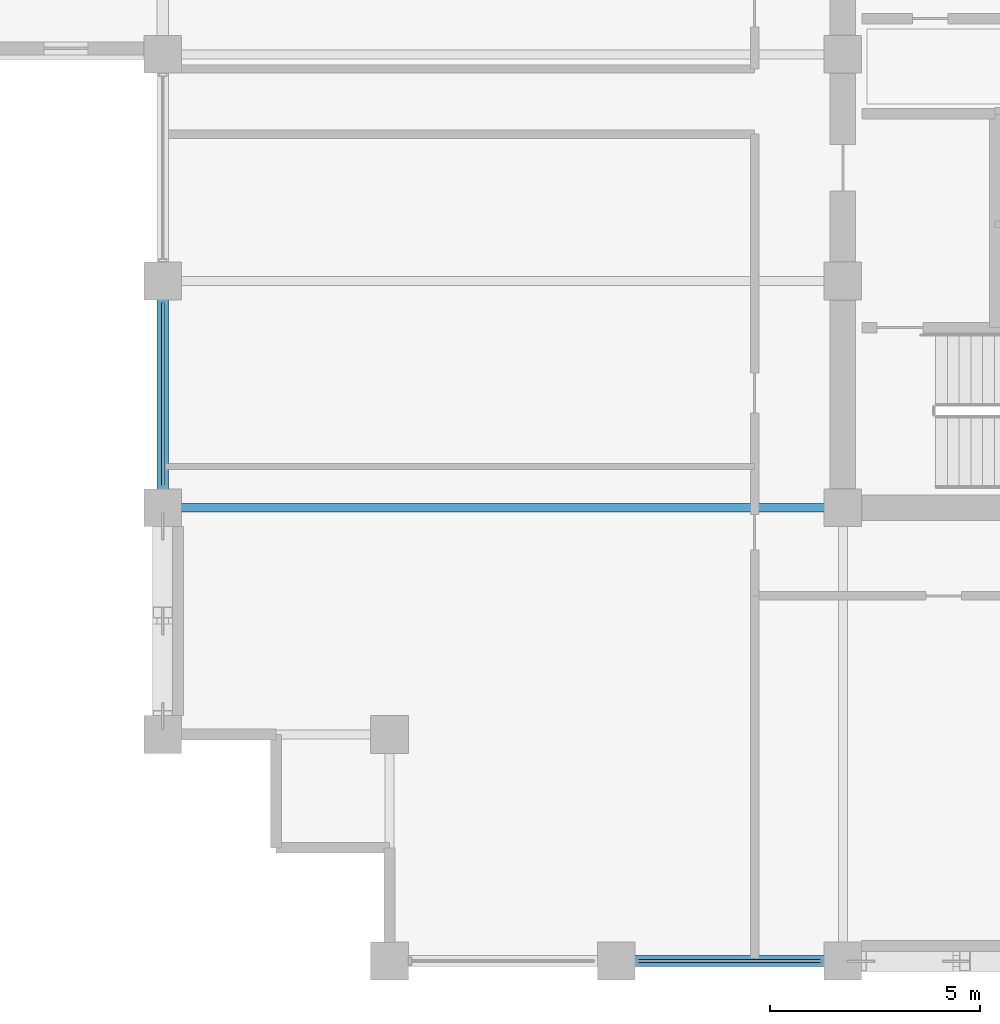
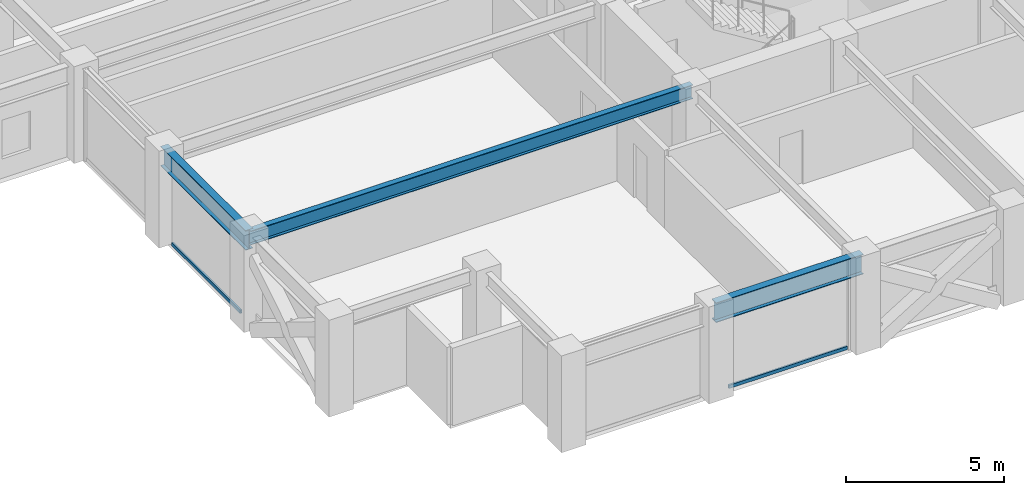
# One storey, part 3 of 28: 3 beams, 2 members, 2 elements without a shape of their own.
"""IFC4 building model written with IfcOpenShell, lengths in metres."""

from ifc_helpers import new_model, si_unit, direction, frame, origin, origin_2d, place, context, subcontext, project, spatial, hollow_rectangle, i_section, extrude, material, layer, layer_set, material_profile, profile_set, type_object, element, aggregate, save


model = new_model("IFC4")

# Units and contexts
model_context = context("Model", 3, precision=1e-05, world=origin(), true_north=direction((0.0, 1.0)))
body_context = subcontext(model_context, "Body", "Model", "MODEL_VIEW")
ifc_project = project(units=[si_unit("LENGTHUNIT", "METRE"), si_unit("AREAUNIT", "SQUARE_METRE"), si_unit("VOLUMEUNIT", "CUBIC_METRE"), si_unit("PLANEANGLEUNIT", "RADIAN"), si_unit("MASSUNIT", "GRAM", prefix="KILO")], contexts=[model_context])

# Site, building, storey
site_placement = place(None, origin())
site = spatial("IfcSite", under=ifc_project, at=site_placement, CompositionType="ELEMENT")
building_placement = place(site_placement, origin())
building = spatial("IfcBuilding", under=site, at=building_placement, Name="Surkhivell Harbour Commons", CompositionType="ELEMENT")
storey_placement = place(building_placement, frame((0.0, 0.0, 174.75)))
storey = spatial("IfcBuildingStorey", under=building, at=storey_placement, Name="L45", CompositionType="ELEMENT", Elevation=174.75)

# Beams
ifc_material_1 = material(Name="Steel S355", Category="steel")
ifc_material_profile_1 = material_profile(ifc_material_1, i_section(OverallWidth=0.2119140625, OverallDepth=0.5439453125, WebThickness=0.0126953125, FlangeThickness=0.021240234375, at=origin_2d()), Name="UB533x210x122")
ifc_profile_set_1 = profile_set([ifc_material_profile_1], Name="Steel S355")
beam_type_1 = type_object("IfcBeamType", Name="BM-GRD-533A", PredefinedType="BEAM", material=ifc_profile_set_1)
beam_1_placement = place(storey_placement, frame((-27.0, -10.800048828125, 3.298095703125), z_axis=(1.0, 0.0, 0.0), x_axis=(0.0, 1.0, 0.0)))
element("IfcBeam", 1, at=beam_1_placement, inside=storey, type_object=beam_type_1, Name="L45 Floor Girder (-27.0,-10.8)", PredefinedType="BEAM", context=body_context, shape_type="SweptSolid", body=[
    extrude(i_section(OverallWidth=0.2119140625, OverallDepth=0.5439453125, WebThickness=0.0126953125, FlangeThickness=0.021240234375, at=origin_2d()), origin(), (0.0, 0.0, 1.0), 16.199951171875),
])
ifc_material_profile_2 = material_profile(ifc_material_1, i_section(OverallWidth=0.26806640625, OverallDepth=0.77001953125, WebThickness=0.015625, FlangeThickness=0.025390625, at=origin_2d()), Name="UB762x267x197")
ifc_profile_set_2 = profile_set([ifc_material_profile_2], Name="Steel S355")
beam_type_2 = type_object("IfcBeamType", Name="BM-SPN-762", PredefinedType="SPANDREL", material=ifc_profile_set_2)
beam_2_placement = place(storey_placement, frame((-27.0, -10.800048828125, 3.18505859375), z_axis=(0.0, 1.0, 0.0), x_axis=(-1.0, 0.0, 0.0)))
element("IfcBeam", 2, at=beam_2_placement, inside=storey, type_object=beam_type_2, Name="L45 Tube Spandrel (-27.0,-10.8)", PredefinedType="SPANDREL", context=body_context, shape_type="SweptSolid", body=[
    extrude(i_section(OverallWidth=0.26806640625, OverallDepth=0.77001953125, WebThickness=0.015625, FlangeThickness=0.025390625, at=origin_2d()), origin(), (0.0, 0.0, 1.0), 5.400146484375),
])
beam_3_placement = place(storey_placement, frame((-16.199951171875, -21.60009765625, 3.18505859375), z_axis=(1.0, 0.0, 0.0), x_axis=(0.0, 1.0, 0.0)))
element("IfcBeam", 3, at=beam_3_placement, inside=storey, type_object=beam_type_2, Name="L45 Tube Spandrel (-16.2,-21.6)", PredefinedType="SPANDREL", context=body_context, shape_type="SweptSolid", body=[
    extrude(i_section(OverallWidth=0.26806640625, OverallDepth=0.77001953125, WebThickness=0.015625, FlangeThickness=0.025390625, at=origin_2d()), origin(), (0.0, 0.0, 1.0), 5.39990234375),
])

# Curtain wall, member
ifc_material_2 = material(Name="Anodised pale-metal aluminium and insulated glazing", Category="aluminium")
ifc_layer = layer(ifc_material_2, 0.18994140625)
ifc_layer_set = layer_set([ifc_layer], Name="Anodised pale-metal aluminium and insulated glazing")
curtain_wall_type = type_object("IfcCurtainWallType", Name="CW-SYS-Z3", PredefinedType="NOTDEFINED", material=ifc_layer_set)
curtain_wall_1_placement = place(storey_placement, origin())
curtain_wall_1 = element("IfcCurtainWall", 4, at=curtain_wall_1_placement, inside=storey, type_object=curtain_wall_type, Name="L45 Curtain Wall CW-L45-E00S1", PredefinedType="NOTDEFINED")
ifc_material_3 = material(Name="Champagne anodised aluminium alloy 6063-T6", Category="aluminium")
ifc_material_profile_3 = material_profile(ifc_material_3, hollow_rectangle(XDim=0.070068359375, YDim=0.1298828125, WallThickness=0.00341796875, at=origin_2d()), Name="ALU-TRAN-70x130")
ifc_profile_set_3 = profile_set([ifc_material_profile_3], Name="Champagne anodised aluminium alloy 6063-T6")
member_type = type_object("IfcMemberType", Name="CWT-130", PredefinedType="USERDEFINED", material=ifc_profile_set_3)
member_1_placement = place(storey_placement, frame((-15.673095703125, -21.60009765625, 0.06494140625), z_axis=(1.0, 0.0, 0.0), x_axis=(0.0, 1.0, 0.0)))
member_1 = element("IfcMember", 5, at=member_1_placement, type_object=member_type, Name="CW-Z3 transom 2.1", ObjectType="TRANSOM", PredefinedType="USERDEFINED", context=body_context, shape_type="SweptSolid", body=[
    extrude(hollow_rectangle(XDim=0.070068359375, YDim=0.1298828125, WallThickness=0.00341796875, at=origin_2d()), origin(), (0.0, 0.0, 1.0), 4.34619140625),
])
aggregate(curtain_wall_1, [member_1])

curtain_wall_2_placement = place(storey_placement, origin())
curtain_wall_2 = element("IfcCurtainWall", 6, at=curtain_wall_2_placement, inside=storey, type_object=curtain_wall_type, Name="L45 Curtain Wall CW-L45-E12R1S1", PredefinedType="NOTDEFINED")
member_2_placement = place(storey_placement, frame((-27.0, -10.27294921875, 0.06494140625), z_axis=(0.0, 1.0, 0.0), x_axis=(-1.0, 0.0, 0.0)))
member_2 = element("IfcMember", 7, at=member_2_placement, type_object=member_type, Name="CW-Z3 transom 1.1", ObjectType="TRANSOM", PredefinedType="USERDEFINED", context=body_context, shape_type="SweptSolid", body=[
    extrude(hollow_rectangle(XDim=0.070068359375, YDim=0.1298828125, WallThickness=0.00341796875, at=origin_2d()), origin(), (0.0, 0.0, 1.0), 4.345947265625),
])
aggregate(curtain_wall_2, [member_2])

save(model, "model.ifc")
